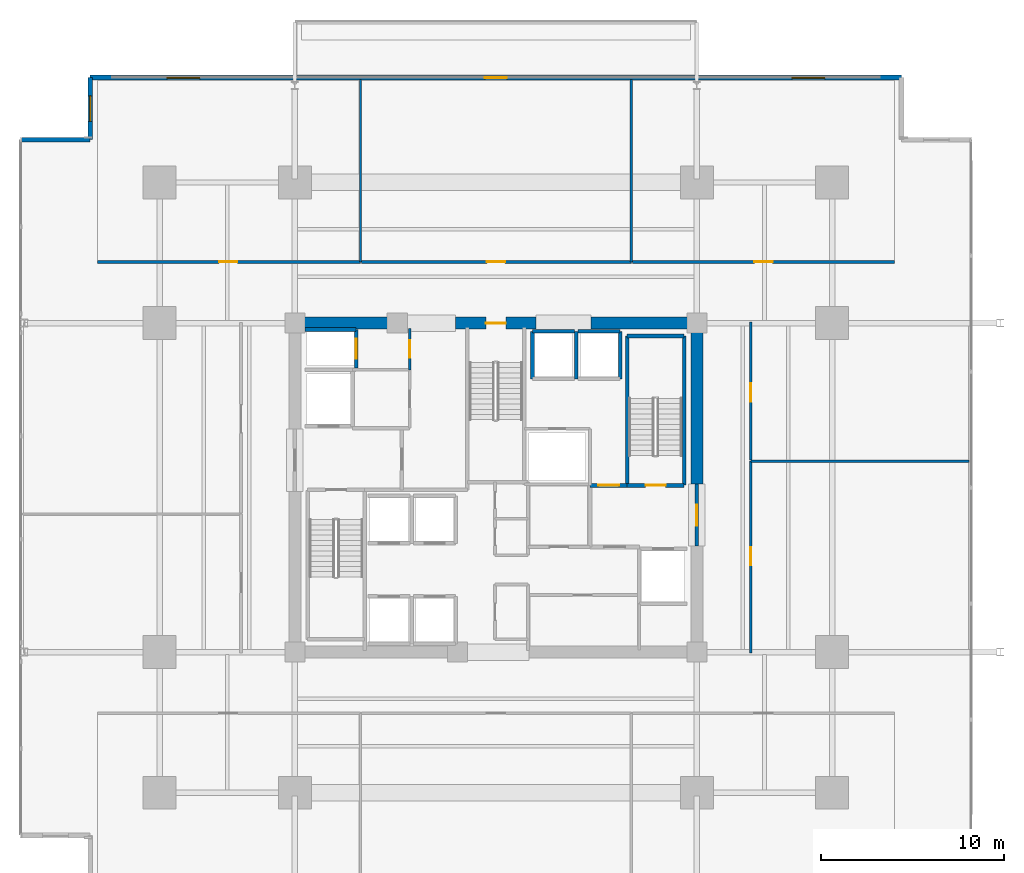
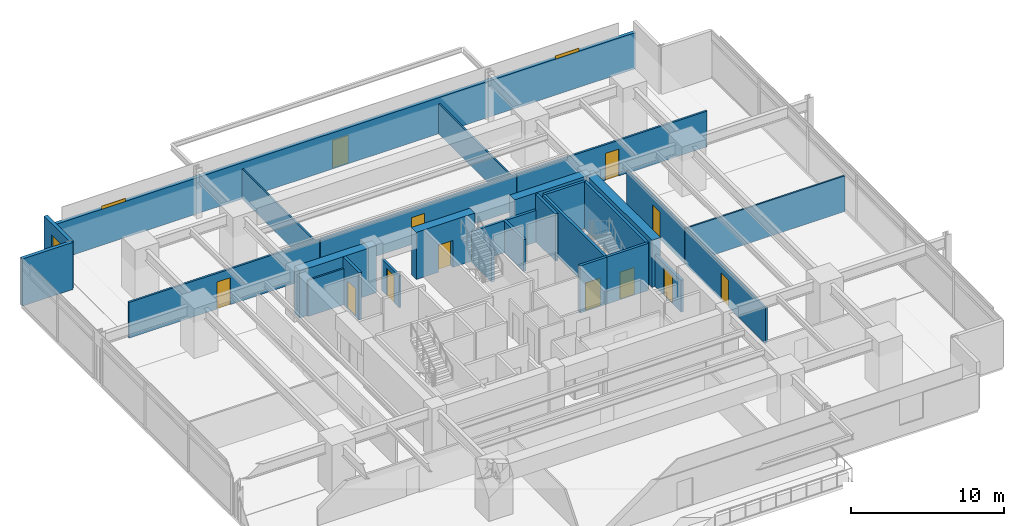
# One storey, part 19 of 25: 29 walls, 12 doors, 3 windows, 15 openings.
"""IFC4 building model written with IfcOpenShell, lengths in metres."""

from ifc_helpers import new_model, si_unit, direction, frame, frame_2d, origin, place, context, subcontext, project, spatial, rectangle, extrude, material, layer, layer_set, type_object, element, fill, save


model = new_model("IFC4")

# Units and contexts
model_context = context("Model", 3, precision=1e-05, world=origin(), true_north=direction((0.0, 1.0)))
body_context = subcontext(model_context, "Body", "Model", "MODEL_VIEW")
ifc_project = project(units=[si_unit("LENGTHUNIT", "METRE"), si_unit("AREAUNIT", "SQUARE_METRE"), si_unit("VOLUMEUNIT", "CUBIC_METRE"), si_unit("PLANEANGLEUNIT", "RADIAN"), si_unit("MASSUNIT", "GRAM", prefix="KILO")], contexts=[model_context])

# Site, building, storey
site_placement = place(None, origin())
site = spatial("IfcSite", under=ifc_project, at=site_placement, CompositionType="ELEMENT")
building_placement = place(site_placement, origin())
building = spatial("IfcBuilding", under=site, at=building_placement, Name="Kovane Verandah Tower", CompositionType="ELEMENT")
storey_placement = place(building_placement, frame((0.0, 0.0, 67.60009765625)))
storey = spatial("IfcBuildingStorey", under=building, at=storey_placement, Name="L15", CompositionType="ELEMENT", Elevation=67.60009765625)

# Wall, opening, door
ifc_material_1 = material(Name="Fire-Rated Gypsum Stud Partition", Category="gypsum")
ifc_layer_1 = layer(ifc_material_1, 0.14990234375)
ifc_layer_set_1 = layer_set([ifc_layer_1], Name="Fire-Rated Gypsum Stud Partition")
wall_type_1 = type_object("IfcWallType", Name="WL-COR-150", PredefinedType="PARTITIONING", material=ifc_layer_set_1)
wall_1_placement = place(storey_placement, frame((35.280029296875, 33.949951171875, 0.0), z_axis=(0.0, 0.0, 1.0), x_axis=(0.0, 1.0, 0.0)))
wall_1 = element("IfcWall", 1, at=wall_1_placement, inside=storey, type_object=wall_type_1, Name="L15 Goods Lift Lobby East Fire Partition", PredefinedType="PARTITIONING", context=body_context, shape_type="SweptSolid", body=[
    extrude(rectangle(XDim=2.27001953125, YDim=0.14990234375, at=frame_2d((1.135009765625, 0.0))), origin(), (0.0, 0.0, 1.0), 2.539794921875),
])
opening_1_placement = place(wall_1_placement, frame((0.659912109375, 0.0, 0.0)))
opening_1 = element("IfcOpeningElement", 2, at=opening_1_placement, cuts=wall_1, Name="Opening DR-L15-008", PredefinedType="OPENING", context=body_context, shape_type="SweptSolid", body=[
    extrude(rectangle(XDim=0.949951171875, YDim=2.14990234375, at=frame_2d((0.47509765625, 1.074951171875))), frame((0.0, 0.074951171875, 0.0), z_axis=(0.0, -1.0, 0.0), x_axis=(1.0, 0.0, 0.0)), (0.0, 0.0, 1.0), 0.14990234375),
])
ifc_material_2 = material(Name="Fire-Rated Steel Refuge and Lobby Door", Category="steel")
door_type_1 = type_object("IfcDoorType", Name="DR-FIRE-950", OperationType="SINGLE_SWING_LEFT", PredefinedType="DOOR", material=ifc_material_2)
door_1_placement = place(opening_1_placement, origin())
door_1 = element("IfcDoor", 3, at=door_1_placement, inside=storey, type_object=door_type_1, Name="L15 Goods Lift Lobby Fire Door", OperationType="SINGLE_SWING_LEFT", OverallHeight=2.14990234375, OverallWidth=0.949951171875, PredefinedType="DOOR", context=body_context, shape_type="SweptSolid", body=[
    extrude(rectangle(XDim=0.949951171875, YDim=2.14990234375, at=frame_2d((0.47509765625, 1.074951171875))), frame((0.0, 0.02490234375, 0.0), z_axis=(0.0, -1.0, 0.0), x_axis=(1.0, 0.0, 0.0)), (0.0, 0.0, 1.0), 0.050048828125),
])
fill(opening_1, door_1)

wall_2_placement = place(storey_placement, frame((18.198974609375, 39.85009765625, 0.0), z_axis=(0.0, 0.0, 1.0), x_axis=(1.0, 0.0, 0.0)))
wall_2 = element("IfcWall", 4, at=wall_2_placement, inside=storey, type_object=wall_type_1, Name="L15 Meeting Room N1 Corridor Partition", PredefinedType="PARTITIONING", context=body_context, shape_type="SweptSolid", body=[
    extrude(rectangle(XDim=14.388671875, YDim=0.14990234375, at=frame_2d((7.1943359375, 0.0))), origin(), (0.0, 0.0, 1.0), 2.849853515625),
])
opening_2_placement = place(wall_2_placement, frame((6.6591796875, 0.0, 0.0)))
opening_2 = element("IfcOpeningElement", 5, at=opening_2_placement, cuts=wall_2, Name="Opening DR-L15-017", PredefinedType="OPENING", context=body_context, shape_type="SweptSolid", body=[
    extrude(rectangle(XDim=1.0, YDim=2.14990234375, at=frame_2d((0.5, 1.074951171875))), frame((0.0, 0.074951171875, 0.0), z_axis=(0.0, -1.0, 0.0), x_axis=(1.0, 0.0, 0.0)), (0.0, 0.0, 1.0), 0.14990234375),
])
ifc_material_3 = material(Name="FSC Spotted-Gum Timber Fire-Rated Office Door", Category="wood")
door_type_2 = type_object("IfcDoorType", Name="DR-OFF-1000", OperationType="SINGLE_SWING_LEFT", PredefinedType="DOOR", material=ifc_material_3)
door_2_placement = place(opening_2_placement, origin())
door_2 = element("IfcDoor", 6, at=door_2_placement, inside=storey, type_object=door_type_2, Name="L15 Meeting Room N1 Entrance Door", OperationType="SINGLE_SWING_RIGHT", OverallHeight=2.14990234375, OverallWidth=1.0, PredefinedType="DOOR", context=body_context, shape_type="SweptSolid", body=[
    extrude(rectangle(XDim=1.0, YDim=2.14990234375, at=frame_2d((0.5, 1.074951171875))), frame((0.0, 0.02490234375, 0.0), z_axis=(0.0, -1.0, 0.0), x_axis=(1.0, 0.0, 0.0)), (0.0, 0.0, 1.0), 0.050048828125),
])
fill(opening_2, door_2)

wall_3_placement = place(storey_placement, frame((32.65771484375, 39.85009765625, 0.0), z_axis=(0.0, 0.0, 1.0), x_axis=(1.0, 0.0, 0.0)))
wall_3 = element("IfcWall", 7, at=wall_3_placement, inside=storey, type_object=wall_type_1, Name="L15 Focus Studio N2 Corridor Partition", PredefinedType="PARTITIONING", context=body_context, shape_type="SweptSolid", body=[
    extrude(rectangle(XDim=14.754638671875, YDim=0.14990234375, at=frame_2d((7.37744140625, 0.0))), origin(), (0.0, 0.0, 1.0), 2.849853515625),
])
opening_3_placement = place(wall_3_placement, frame((6.84228515625, 0.0, 0.0)))
opening_3 = element("IfcOpeningElement", 8, at=opening_3_placement, cuts=wall_3, Name="Opening DR-L15-018", PredefinedType="OPENING", context=body_context, shape_type="SweptSolid", body=[
    extrude(rectangle(XDim=1.0, YDim=2.14990234375, at=frame_2d((0.5, 1.074951171875))), frame((0.0, 0.074951171875, 0.0), z_axis=(0.0, -1.0, 0.0), x_axis=(1.0, 0.0, 0.0)), (0.0, 0.0, 1.0), 0.14990234375),
])
door_3_placement = place(opening_3_placement, origin())
door_3 = element("IfcDoor", 9, at=door_3_placement, inside=storey, type_object=door_type_2, Name="L15 Focus Studio N2 Entrance Door", OperationType="SINGLE_SWING_LEFT", OverallHeight=2.14990234375, OverallWidth=1.0, PredefinedType="DOOR", context=body_context, shape_type="SweptSolid", body=[
    extrude(rectangle(XDim=1.0, YDim=2.14990234375, at=frame_2d((0.5, 1.074951171875))), frame((0.0, 0.02490234375, 0.0), z_axis=(0.0, -1.0, 0.0), x_axis=(1.0, 0.0, 0.0)), (0.0, 0.0, 1.0), 0.050048828125),
])
fill(opening_3, door_3)

wall_4_placement = place(storey_placement, frame((47.482421875, 39.85009765625, 0.0), z_axis=(0.0, 0.0, 1.0), x_axis=(1.0, 0.0, 0.0)))
wall_4 = element("IfcWall", 10, at=wall_4_placement, inside=storey, type_object=wall_type_1, Name="L15 Breakout Pantry N3 Corridor Partition", PredefinedType="PARTITIONING", context=body_context, shape_type="SweptSolid", body=[
    extrude(rectangle(XDim=14.318603515625, YDim=0.14990234375, at=frame_2d((7.1591796875, 0.0))), origin(), (0.0, 0.0, 1.0), 2.849853515625),
])
opening_4_placement = place(wall_4_placement, frame((6.659423828125, 0.0, 0.0)))
opening_4 = element("IfcOpeningElement", 11, at=opening_4_placement, cuts=wall_4, Name="Opening DR-L15-019", PredefinedType="OPENING", context=body_context, shape_type="SweptSolid", body=[
    extrude(rectangle(XDim=1.0, YDim=2.14990234375, at=frame_2d((0.5, 1.074951171875))), frame((0.0, 0.074951171875, 0.0), z_axis=(0.0, -1.0, 0.0), x_axis=(1.0, 0.0, 0.0)), (0.0, 0.0, 1.0), 0.14990234375),
])
door_4_placement = place(opening_4_placement, origin())
door_4 = element("IfcDoor", 12, at=door_4_placement, inside=storey, type_object=door_type_2, Name="L15 Breakout Pantry N3 Entrance Door", OperationType="SINGLE_SWING_RIGHT", OverallHeight=2.14990234375, OverallWidth=1.0, PredefinedType="DOOR", context=body_context, shape_type="SweptSolid", body=[
    extrude(rectangle(XDim=1.0, YDim=2.14990234375, at=frame_2d((0.5, 1.074951171875))), frame((0.0, 0.02490234375, 0.0), z_axis=(0.0, -1.0, 0.0), x_axis=(1.0, 0.0, 0.0)), (0.0, 0.0, 1.0), 0.050048828125),
])
fill(opening_4, door_4)

wall_5_placement = place(storey_placement, frame((53.949951171875, 18.449951171875, 0.0), z_axis=(0.0, 0.0, 1.0), x_axis=(0.0, 1.0, 0.0)))
wall_5 = element("IfcWall", 13, at=wall_5_placement, inside=storey, type_object=wall_type_1, Name="L15 Meeting Room E1 Corridor Partition", PredefinedType="PARTITIONING", context=body_context, shape_type="SweptSolid", body=[
    extrude(rectangle(XDim=10.498046875, YDim=0.14990234375, at=frame_2d((5.2490234375, 0.0))), origin(), (0.0, 0.0, 1.0), 2.849853515625),
])
opening_5_placement = place(wall_5_placement, frame((4.7890625, 0.0, 0.0)))
opening_5 = element("IfcOpeningElement", 14, at=opening_5_placement, cuts=wall_5, Name="Opening DR-L15-012", PredefinedType="OPENING", context=body_context, shape_type="SweptSolid", body=[
    extrude(rectangle(XDim=1.0, YDim=2.14990234375, at=frame_2d((0.5, 1.074951171875))), frame((0.0, 0.074951171875, 0.0), z_axis=(0.0, -1.0, 0.0), x_axis=(1.0, 0.0, 0.0)), (0.0, 0.0, 1.0), 0.14990234375),
])
door_5_placement = place(opening_5_placement, origin())
door_5 = element("IfcDoor", 15, at=door_5_placement, inside=storey, type_object=door_type_2, Name="L15 Meeting Room E1 Entrance Door", OperationType="SINGLE_SWING_RIGHT", OverallHeight=2.14990234375, OverallWidth=1.0, PredefinedType="DOOR", context=body_context, shape_type="SweptSolid", body=[
    extrude(rectangle(XDim=1.0, YDim=2.14990234375, at=frame_2d((0.5, 1.074951171875))), frame((0.0, 0.02490234375, 0.0), z_axis=(0.0, -1.0, 0.0), x_axis=(1.0, 0.0, 0.0)), (0.0, 0.0, 1.0), 0.050048828125),
])
fill(opening_5, door_5)

wall_6_placement = place(storey_placement, frame((53.949951171875, 29.01806640625, 0.0), z_axis=(0.0, 0.0, 1.0), x_axis=(0.0, 1.0, 0.0)))
wall_6 = element("IfcWall", 16, at=wall_6_placement, inside=storey, type_object=wall_type_1, Name="L15 Focus Studio E2 Corridor Partition", PredefinedType="PARTITIONING", context=body_context, shape_type="SweptSolid", body=[
    extrude(rectangle(XDim=7.531982421875, YDim=0.14990234375, at=frame_2d((3.76611328125, 0.0))), origin(), (0.0, 0.0, 1.0), 2.849853515625),
])
opening_6_placement = place(wall_6_placement, frame((3.19091796875, 0.0, 0.0)))
opening_6 = element("IfcOpeningElement", 17, at=opening_6_placement, cuts=wall_6, Name="Opening DR-L15-013", PredefinedType="OPENING", context=body_context, shape_type="SweptSolid", body=[
    extrude(rectangle(XDim=1.0, YDim=2.14990234375, at=frame_2d((0.5, 1.074951171875))), frame((0.0, 0.074951171875, 0.0), z_axis=(0.0, -1.0, 0.0), x_axis=(1.0, 0.0, 0.0)), (0.0, 0.0, 1.0), 0.14990234375),
])
door_6_placement = place(opening_6_placement, origin())
door_6 = element("IfcDoor", 18, at=door_6_placement, inside=storey, type_object=door_type_2, Name="L15 Focus Studio E2 Entrance Door", OperationType="SINGLE_SWING_LEFT", OverallHeight=2.14990234375, OverallWidth=1.0, PredefinedType="DOOR", context=body_context, shape_type="SweptSolid", body=[
    extrude(rectangle(XDim=1.0, YDim=2.14990234375, at=frame_2d((0.5, 1.074951171875))), frame((0.0, 0.02490234375, 0.0), z_axis=(0.0, -1.0, 0.0), x_axis=(1.0, 0.0, 0.0)), (0.0, 0.0, 1.0), 0.050048828125),
])
fill(opening_6, door_6)

# Wall
ifc_material_4 = material(Name="Concrete C80/95", Category="concrete")
ifc_layer_2 = layer(ifc_material_4, 0.64990234375)
ifc_layer_set_2 = layer_set([ifc_layer_2], Name="Concrete C80/95")
wall_type_2 = type_object("IfcWallType", Name="WL-CORE-650", PredefinedType="SHEAR", material=ifc_layer_set_2)
wall_7_placement = place(storey_placement, frame((29.0, 36.5, 0.0), z_axis=(0.0, 0.0, 1.0), x_axis=(1.0, 0.0, 0.0)))
element("IfcWall", 19, at=wall_7_placement, inside=storey, type_object=wall_type_2, Name="L15 Core Shear Wall CN-1", PredefinedType="SHEAR", context=body_context, shape_type="SweptSolid", body=[
    extrude(rectangle(XDim=5.800048828125, YDim=0.64990234375, at=frame_2d((2.89990234375, 0.0))), origin(), (0.0, 0.0, 1.0), 3.760009765625),
])

# Wall, opening, door
wall_8_placement = place(storey_placement, frame((37.800048828125, 36.5, 0.0), z_axis=(0.0, 0.0, 1.0), x_axis=(1.0, 0.0, 0.0)))
wall_8 = element("IfcWall", 20, at=wall_8_placement, inside=storey, type_object=wall_type_2, Name="L15 Core Shear Wall CN-2", PredefinedType="SHEAR", context=body_context, shape_type="SweptSolid", body=[
    extrude(rectangle(XDim=4.39990234375, YDim=0.64990234375, at=frame_2d((2.199951171875, 0.0))), origin(), (0.0, 0.0, 1.0), 3.760009765625),
])
opening_7_placement = place(wall_8_placement, frame((1.64990234375, 0.0, 0.0)))
opening_7 = element("IfcOpeningElement", 21, at=opening_7_placement, cuts=wall_8, Name="Opening DR-L15-011", PredefinedType="OPENING", context=body_context, shape_type="SweptSolid", body=[
    extrude(rectangle(XDim=1.10009765625, YDim=2.14990234375, at=frame_2d((0.550048828125, 1.074951171875))), frame((0.0, 0.324951171875, 0.0), z_axis=(0.0, -1.0, 0.0), x_axis=(1.0, 0.0, 0.0)), (0.0, 0.0, 1.0), 0.64990234375),
])
ifc_material_5 = material(Name="Fire-Rated Steel Exit Door", Category="steel")
door_type_3 = type_object("IfcDoorType", Name="DR-STAIR-1100", OperationType="SINGLE_SWING_LEFT", PredefinedType="DOOR", material=ifc_material_5)
door_7_placement = place(opening_7_placement, origin())
door_7 = element("IfcDoor", 22, at=door_7_placement, inside=storey, type_object=door_type_3, Name="L15 ST-03 Fire Exit Stair Door", OperationType="SINGLE_SWING_LEFT", OverallHeight=2.14990234375, OverallWidth=1.10009765625, PredefinedType="DOOR", context=body_context, shape_type="SweptSolid", body=[
    extrude(rectangle(XDim=1.10009765625, YDim=2.14990234375, at=frame_2d((0.550048828125, 1.074951171875))), frame((0.0, 0.02490234375, 0.0), z_axis=(0.0, -1.0, 0.0), x_axis=(1.0, 0.0, 0.0)), (0.0, 0.0, 1.0), 0.050048828125),
])
fill(opening_7, door_7)

# Walls
wall_9_placement = place(storey_placement, frame((45.199951171875, 36.5, 0.0), z_axis=(0.0, 0.0, 1.0), x_axis=(1.0, 0.0, 0.0)))
element("IfcWall", 23, at=wall_9_placement, inside=storey, type_object=wall_type_2, Name="L15 Core Shear Wall CN-3", PredefinedType="SHEAR", context=body_context, shape_type="SweptSolid", body=[
    extrude(rectangle(XDim=5.800048828125, YDim=0.64990234375, at=frame_2d((2.89990234375, 0.0))), origin(), (0.0, 0.0, 1.0), 3.760009765625),
])
wall_10_placement = place(storey_placement, frame((51.0, 27.699951171875, 0.0), z_axis=(0.0, 0.0, 1.0), x_axis=(0.0, 1.0, 0.0)))
element("IfcWall", 24, at=wall_10_placement, inside=storey, type_object=wall_type_2, Name="L15 Core Shear Wall CE-2", PredefinedType="SHEAR", context=body_context, shape_type="SweptSolid", body=[
    extrude(rectangle(XDim=8.800048828125, YDim=0.64990234375, at=frame_2d((4.39990234375, 0.0))), origin(), (0.0, 0.0, 1.0), 3.760009765625),
])

# Wall, opening, door
ifc_material_6 = material(Name="Concrete C45/55 Fire Wall", Category="concrete")
ifc_layer_3 = layer(ifc_material_6, 0.199951171875)
ifc_layer_set_3 = layer_set([ifc_layer_3], Name="Concrete C45/55 Fire Wall")
wall_type_3 = type_object("IfcWallType", Name="WL-FFL-200", PredefinedType="PARTITIONING", material=ifc_layer_set_3)
wall_11_placement = place(storey_placement, frame((45.14990234375, 27.6201171875, 0.0), z_axis=(0.0, 0.0, 1.0), x_axis=(1.0, 0.0, 0.0)))
wall_11 = element("IfcWall", 25, at=wall_11_placement, inside=storey, type_object=wall_type_3, Name="W-L15-FFLE-N", PredefinedType="PARTITIONING", context=body_context, shape_type="SweptSolid", body=[
    extrude(rectangle(XDim=2.030029296875, YDim=0.199951171875, at=frame_2d((1.01513671875, 0.0))), origin(), (0.0, 0.0, 1.0), 3.760009765625),
])
opening_8_placement = place(wall_11_placement, frame((0.43994140625, 0.0, 0.0)))
opening_8 = element("IfcOpeningElement", 26, at=opening_8_placement, cuts=wall_11, Name="Opening DR-L15-004", PredefinedType="OPENING", context=body_context, shape_type="SweptSolid", body=[
    extrude(rectangle(XDim=1.14990234375, YDim=2.199951171875, at=frame_2d((0.574951171875, 1.10009765625))), frame((0.0, 0.10009765625, 0.0), z_axis=(0.0, -1.0, 0.0), x_axis=(1.0, 0.0, 0.0)), (0.0, 0.0, 1.0), 0.199951171875),
])
ifc_material_7 = material(Name="Smoke-Sealed Firefighting Lobby Door", Category="steel")
door_type_4 = type_object("IfcDoorType", Name="DR-FFL-1150", OperationType="SINGLE_SWING_LEFT", PredefinedType="DOOR", material=ifc_material_7)
door_8_placement = place(opening_8_placement, origin())
door_8 = element("IfcDoor", 27, at=door_8_placement, inside=storey, type_object=door_type_4, Name="L15 East Firefighting Lobby Shuttle Link Door", OperationType="SINGLE_SWING_LEFT", OverallHeight=2.199951171875, OverallWidth=1.14990234375, PredefinedType="DOOR", context=body_context, shape_type="SweptSolid", body=[
    extrude(rectangle(XDim=1.14990234375, YDim=2.199951171875, at=frame_2d((0.574951171875, 1.10009765625))), frame((0.0, 0.02490234375, 0.0), z_axis=(0.0, -1.0, 0.0), x_axis=(1.0, 0.0, 0.0)), (0.0, 0.0, 1.0), 0.050048828125),
])
fill(opening_8, door_8)

wall_12_placement = place(storey_placement, frame((51.0, 24.300048828125, 0.0), z_axis=(0.0, 0.0, 1.0), x_axis=(0.0, 1.0, 0.0)))
wall_12 = element("IfcWall", 28, at=wall_12_placement, inside=storey, type_object=wall_type_3, Name="W-L15-FFLE-OUT", PredefinedType="PARTITIONING", context=body_context, shape_type="SweptSolid", body=[
    extrude(rectangle(XDim=3.39990234375, YDim=0.199951171875, at=frame_2d((1.699951171875, 0.0))), origin(), (0.0, 0.0, 1.0), 2.539794921875),
])
opening_9_placement = place(wall_12_placement, frame((1.125, 0.0, 0.0)))
opening_9 = element("IfcOpeningElement", 29, at=opening_9_placement, cuts=wall_12, Name="Opening DR-L15-005", PredefinedType="OPENING", context=body_context, shape_type="SweptSolid", body=[
    extrude(rectangle(XDim=1.14990234375, YDim=2.199951171875, at=frame_2d((0.574951171875, 1.10009765625))), frame((0.0, 0.10009765625, 0.0), z_axis=(0.0, -1.0, 0.0), x_axis=(1.0, 0.0, 0.0)), (0.0, 0.0, 1.0), 0.199951171875),
])
door_9_placement = place(opening_9_placement, origin())
door_9 = element("IfcDoor", 30, at=door_9_placement, inside=storey, type_object=door_type_4, Name="L15 East Firefighting Lobby Corridor Door", OperationType="SINGLE_SWING_LEFT", OverallHeight=2.199951171875, OverallWidth=1.14990234375, PredefinedType="DOOR", context=body_context, shape_type="SweptSolid", body=[
    extrude(rectangle(XDim=1.14990234375, YDim=2.199951171875, at=frame_2d((0.574951171875, 1.10009765625))), frame((0.0, 0.02490234375, 0.0), z_axis=(0.0, -1.0, 0.0), x_axis=(1.0, 0.0, 0.0)), (0.0, 0.0, 1.0), 0.050048828125),
])
fill(opening_9, door_9)

# Wall
ifc_material_8 = material(Name="Concrete C45/55 Lift Shaft Wall", Category="concrete")
ifc_layer_4 = layer(ifc_material_8, 0.199951171875)
ifc_layer_set_4 = layer_set([ifc_layer_4], Name="Concrete C45/55 Lift Shaft Wall")
wall_type_4 = type_object("IfcWallType", Name="WL-LIFT-200", PredefinedType="SOLIDWALL", material=ifc_layer_set_4)
wall_13_placement = place(storey_placement, frame((32.35009765625, 36.14990234375, 0.0), z_axis=(0.0, 0.0, 1.0), x_axis=(-1.0, 0.0, 0.0)))
element("IfcWall", 31, at=wall_13_placement, inside=storey, type_object=wall_type_4, Name="L15 Lift GL-01 N Shaft Wall", PredefinedType="SOLIDWALL", context=body_context, shape_type="SweptSolid", body=[
    extrude(rectangle(XDim=2.800048828125, YDim=0.199951171875, at=frame_2d((1.39990234375, 0.0))), origin(), (0.0, 0.0, 1.0), 2.88916015625),
])

# Wall, opening, door
wall_14_placement = place(storey_placement, frame((32.35009765625, 34.050048828125, 0.0), z_axis=(0.0, 0.0, 1.0), x_axis=(0.0, 1.0, 0.0)))
wall_14 = element("IfcWall", 32, at=wall_14_placement, inside=storey, type_object=wall_type_4, Name="L15 Lift GL-01 E Shaft Wall", PredefinedType="SOLIDWALL", context=body_context, shape_type="SweptSolid", body=[
    extrude(rectangle(XDim=2.099853515625, YDim=0.199951171875, at=frame_2d((1.0498046875, 0.0))), origin(), (0.0, 0.0, 1.0), 3.760009765625),
])
opening_10_placement = place(wall_14_placement, frame((0.5, 0.0, 0.0)))
opening_10 = element("IfcOpeningElement", 33, at=opening_10_placement, cuts=wall_14, Name="Opening LD-L15-003", PredefinedType="OPENING", context=body_context, shape_type="SweptSolid", body=[
    extrude(rectangle(XDim=1.10009765625, YDim=2.199951171875, at=frame_2d((0.550048828125, 1.10009765625))), frame((0.0, 0.10009765625, 0.0), z_axis=(0.0, -1.0, 0.0), x_axis=(1.0, 0.0, 0.0)), (0.0, 0.0, 1.0), 0.199951171875),
])
ifc_material_9 = material(Name="Brushed Stainless Steel Sliding Lift Landing Door", Category="steel")
door_type_5 = type_object("IfcDoorType", Name="DR-LIFT-1100", OperationType="SLIDING_TO_RIGHT", PredefinedType="DOOR", material=ifc_material_9)
door_10_placement = place(opening_10_placement, origin())
door_10 = element("IfcDoor", 34, at=door_10_placement, inside=storey, type_object=door_type_5, Name="L15 Lift GL-01 Sliding Landing Door", OperationType="SLIDING_TO_RIGHT", OverallHeight=2.199951171875, OverallWidth=1.10009765625, PredefinedType="DOOR", context=body_context, shape_type="SweptSolid", body=[
    extrude(rectangle(XDim=1.10009765625, YDim=2.199951171875, at=frame_2d((0.550048828125, 1.10009765625))), frame((0.0, 0.02490234375, 0.0), z_axis=(0.0, -1.0, 0.0), x_axis=(1.0, 0.0, 0.0)), (0.0, 0.0, 1.0), 0.050048828125),
])
fill(opening_10, door_10)

# Walls
wall_15_placement = place(storey_placement, frame((44.300048828125, 36.050048828125, 0.0), z_axis=(0.0, 0.0, 1.0), x_axis=(-1.0, 0.0, 0.0)))
element("IfcWall", 35, at=wall_15_placement, inside=storey, type_object=wall_type_4, Name="L15 Lift SL-01 N Shaft Wall", PredefinedType="SOLIDWALL", context=body_context, shape_type="SweptSolid", body=[
    extrude(rectangle(XDim=2.300048828125, YDim=0.199951171875, at=frame_2d((1.14990234375, 0.0))), origin(), (0.0, 0.0, 1.0), 2.539794921875),
])
for number, where, z_axis, x_axis, name in (
    (36, (42.0, 36.050048828125, 0.0), (0.0, 0.0, 1.0), (0.0, -1.0, 0.0), "L15 Lift SL-01 W Shaft Wall"),
    (37, (44.39990234375, 33.449951171875, 0.0), (0.0, 0.0, 1.0), (0.0, 1.0, 0.0), "L15 Lift OL-01 and SL-01 Shared Shaft Wall"),
):
    element("IfcWall", number, at=place(storey_placement, frame(where, z_axis=z_axis, x_axis=x_axis)), inside=storey, type_object=wall_type_4, Name=name, PredefinedType="SOLIDWALL", context=body_context, shape_type="SweptSolid", body=[
        extrude(rectangle(XDim=2.60009765625, YDim=0.199951171875, at=frame_2d((1.300048828125, 0.0))), origin(), (0.0, 0.0, 1.0), 2.539794921875),
    ])
wall_16_placement = place(storey_placement, frame((46.800048828125, 36.050048828125, 0.0), z_axis=(0.0, 0.0, 1.0), x_axis=(-1.0, 0.0, 0.0)))
element("IfcWall", 38, at=wall_16_placement, inside=storey, type_object=wall_type_4, Name="L15 Lift OL-01 N Shaft Wall", PredefinedType="SOLIDWALL", context=body_context, shape_type="SweptSolid", body=[
    extrude(rectangle(XDim=2.300048828125, YDim=0.199951171875, at=frame_2d((1.14990234375, 0.0))), origin(), (0.0, 0.0, 1.0), 2.539794921875),
])
wall_17_placement = place(storey_placement, frame((46.800048828125, 33.449951171875, 0.0), z_axis=(0.0, 0.0, 1.0), x_axis=(0.0, 1.0, 0.0)))
element("IfcWall", 39, at=wall_17_placement, inside=storey, type_object=wall_type_4, Name="L15 Lift OL-01 E Shaft Wall", PredefinedType="SOLIDWALL", context=body_context, shape_type="SweptSolid", body=[
    extrude(rectangle(XDim=2.60009765625, YDim=0.199951171875, at=frame_2d((1.300048828125, 0.0))), origin(), (0.0, 0.0, 1.0), 3.760009765625),
])
ifc_material_10 = material(Name="Acoustic Fire-Rated Gypsum Partition", Category="gypsum")
ifc_layer_5 = layer(ifc_material_10, 0.1201171875)
ifc_layer_set_5 = layer_set([ifc_layer_5], Name="Acoustic Fire-Rated Gypsum Partition")
wall_type_5 = type_object("IfcWallType", Name="WL-PART-120", PredefinedType="PARTITIONING", material=ifc_layer_set_5)
for number, where, z_axis, x_axis, name in (
    (40, (32.587646484375, 39.85009765625, 0.0), (0.0, 0.0, 1.0), (0.0, 1.0, 0.0), "L15 Meeting Room N1 Dividing Partition"),
    (41, (47.412353515625, 39.85009765625, 0.0), (0.0, 0.0, 1.0), (0.0, 1.0, 0.0), "L15 Focus Studio N2 Dividing Partition"),
):
    element("IfcWall", number, at=place(storey_placement, frame(where, z_axis=z_axis, x_axis=x_axis)), inside=storey, type_object=wall_type_5, Name=name, PredefinedType="PARTITIONING", context=body_context, shape_type="SweptSolid", body=[
        extrude(rectangle(XDim=9.99072265625, YDim=0.1201171875, at=frame_2d((4.995361328125, 0.0))), origin(), (0.0, 0.0, 1.0), 2.389892578125),
    ])
wall_18_placement = place(storey_placement, frame((53.949951171875, 28.947998046875, 0.0), z_axis=(0.0, 0.0, 1.0), x_axis=(1.0, 0.0, 0.0)))
element("IfcWall", 42, at=wall_18_placement, inside=storey, type_object=wall_type_5, Name="L15 Meeting Room E1 Dividing Partition", PredefinedType="PARTITIONING", context=body_context, shape_type="SweptSolid", body=[
    extrude(rectangle(XDim=11.951171875, YDim=0.1201171875, at=frame_2d((5.9755859375, 0.0))), origin(), (0.0, 0.0, 1.0), 2.849853515625),
])
ifc_material_11 = material(Name="Concrete C45/55", Category="concrete")
ifc_layer_6 = layer(ifc_material_11, 0.199951171875)
ifc_layer_set_6 = layer_set([ifc_layer_6], Name="Concrete C45/55")
wall_type_6 = type_object("IfcWallType", Name="WL-SHAFT-200", PredefinedType="SOLIDWALL", material=ifc_layer_set_6)
wall_19_placement = place(storey_placement, frame((50.300048828125, 27.64990234375, 0.0), z_axis=(0.0, 0.0, 1.0), x_axis=(0.0, 1.0, 0.0)))
element("IfcWall", 43, at=wall_19_placement, inside=storey, type_object=wall_type_6, Name="W-L15-ST02-E", PredefinedType="SOLIDWALL", context=body_context, shape_type="SweptSolid", body=[
    extrude(rectangle(XDim=8.150146484375, YDim=0.199951171875, at=frame_2d((4.0751953125, 0.0))), origin(), (0.0, 0.0, 1.0), 3.760009765625),
])
wall_20_placement = place(storey_placement, frame((47.179931640625, 35.800048828125, 0.0), z_axis=(0.0, 0.0, 1.0), x_axis=(1.0, 0.0, 0.0)))
element("IfcWall", 44, at=wall_20_placement, inside=storey, type_object=wall_type_6, Name="W-L15-ST02-N", PredefinedType="SOLIDWALL", context=body_context, shape_type="SweptSolid", body=[
    extrude(rectangle(XDim=3.1201171875, YDim=0.199951171875, at=frame_2d((1.56005859375, 0.0))), origin(), (0.0, 0.0, 1.0), 3.760009765625),
])
wall_21_placement = place(storey_placement, frame((47.179931640625, 27.6201171875, 0.0), z_axis=(0.0, 0.0, 1.0), x_axis=(0.0, 1.0, 0.0)))
element("IfcWall", 45, at=wall_21_placement, inside=storey, type_object=wall_type_6, Name="W-L15-ST02-W", PredefinedType="SOLIDWALL", context=body_context, shape_type="SweptSolid", body=[
    extrude(rectangle(XDim=8.179931640625, YDim=0.199951171875, at=frame_2d((4.08984375, 0.0))), origin(), (0.0, 0.0, 1.0), 3.760009765625),
])

# Wall, opening, door
wall_22_placement = place(storey_placement, frame((47.179931640625, 27.6201171875, 0.0), z_axis=(0.0, 0.0, 1.0), x_axis=(1.0, 0.0, 0.0)))
wall_22 = element("IfcWall", 46, at=wall_22_placement, inside=storey, type_object=wall_type_6, Name="W-L15-ST02-S", PredefinedType="SOLIDWALL", context=body_context, shape_type="SweptSolid", body=[
    extrude(rectangle(XDim=3.1201171875, YDim=0.199951171875, at=frame_2d((1.56005859375, 0.0))), origin(), (0.0, 0.0, 1.0), 3.760009765625),
])
opening_11_placement = place(wall_22_placement, frame((1.010009765625, 0.0, 0.0)))
opening_11 = element("IfcOpeningElement", 47, at=opening_11_placement, cuts=wall_22, Name="Opening DR-L15-010", PredefinedType="OPENING", context=body_context, shape_type="SweptSolid", body=[
    extrude(rectangle(XDim=1.10009765625, YDim=2.14990234375, at=frame_2d((0.550048828125, 1.074951171875))), frame((0.0, 0.10009765625, 0.0), z_axis=(0.0, -1.0, 0.0), x_axis=(1.0, 0.0, 0.0)), (0.0, 0.0, 1.0), 0.199951171875),
])
door_11_placement = place(opening_11_placement, origin())
door_11 = element("IfcDoor", 48, at=door_11_placement, inside=storey, type_object=door_type_3, Name="L15 ST-02 Fire Exit Stair Door", OperationType="SINGLE_SWING_RIGHT", OverallHeight=2.14990234375, OverallWidth=1.10009765625, PredefinedType="DOOR", context=body_context, shape_type="SweptSolid", body=[
    extrude(rectangle(XDim=1.10009765625, YDim=2.14990234375, at=frame_2d((0.550048828125, 1.074951171875))), frame((0.0, 0.02490234375, 0.0), z_axis=(0.0, -1.0, 0.0), x_axis=(1.0, 0.0, 0.0)), (0.0, 0.0, 1.0), 0.050048828125),
])
fill(opening_11, door_11)

# Wall, openings, door, windows
ifc_material_12 = material(Name="Concrete C45/55 Insulated Spandrel Wall", Category="concrete")
ifc_layer_7 = layer(ifc_material_12, 0.260009765625)
ifc_layer_set_7 = layer_set([ifc_layer_7], Name="Concrete C45/55 Insulated Spandrel Wall")
wall_type_7 = type_object("IfcWallType", Name="WL-SPANDREL-260", PredefinedType="PARAPET", material=ifc_layer_set_7)
wall_23_placement = place(storey_placement, frame((62.201171875, 49.94091796875, 0.0), z_axis=(0.0, 0.0, 1.0), x_axis=(-1.0, 0.0, 0.0)))
wall_23 = element("IfcWall", 49, at=wall_23_placement, inside=storey, type_object=wall_type_7, Name="L15 N Verandah Access Facade Wall", PredefinedType="PARAPET", context=body_context, shape_type="SweptSolid", body=[
    extrude(rectangle(XDim=44.40234375, YDim=0.260009765625, at=frame_2d((22.201171875, 0.0))), origin(), (0.0, 0.0, 1.0), 2.88916015625),
])
opening_12_placement = place(wall_23_placement, frame((4.199951171875, 0.0, 0.85009765625)))
opening_12 = element("IfcOpeningElement", 50, at=opening_12_placement, cuts=wall_23, Name="Opening W-03", PredefinedType="OPENING", context=body_context, shape_type="SweptSolid", body=[
    extrude(rectangle(XDim=1.800048828125, YDim=2.199951171875, at=frame_2d((0.89990234375, 1.10009765625))), frame((0.0, 0.1298828125, 0.0), z_axis=(0.0, -1.0, 0.0), x_axis=(1.0, 0.0, 0.0)), (0.0, 0.0, 1.0), 0.260009765625),
])
opening_13_placement = place(wall_23_placement, frame((21.60107421875, 0.0, 0.0)))
opening_13 = element("IfcOpeningElement", 51, at=opening_13_placement, cuts=wall_23, Name="Opening DR-L15-001", PredefinedType="OPENING", context=body_context, shape_type="SweptSolid", body=[
    extrude(rectangle(XDim=1.199951171875, YDim=2.199951171875, at=frame_2d((0.60009765625, 1.10009765625))), frame((0.0, 0.1298828125, 0.0), z_axis=(0.0, -1.0, 0.0), x_axis=(1.0, 0.0, 0.0)), (0.0, 0.0, 1.0), 0.260009765625),
])
opening_14_placement = place(wall_23_placement, frame((38.402099609375, 0.0, 0.85009765625)))
opening_14 = element("IfcOpeningElement", 52, at=opening_14_placement, cuts=wall_23, Name="Opening W-03", PredefinedType="OPENING", context=body_context, shape_type="SweptSolid", body=[
    extrude(rectangle(XDim=1.800048828125, YDim=2.199951171875, at=frame_2d((0.89990234375, 1.10009765625))), frame((0.0, 0.1298828125, 0.0), z_axis=(0.0, -1.0, 0.0), x_axis=(1.0, 0.0, 0.0)), (0.0, 0.0, 1.0), 0.260009765625),
])
ifc_material_13 = material(Name="Cyclone-Rated Glazed Balcony Leaf Door", Category="aluminium")
door_type_6 = type_object("IfcDoorType", Name="DR-BAL-1200x2200", OperationType="SINGLE_SWING_LEFT", PredefinedType="DOOR", material=ifc_material_13)
door_12_placement = place(opening_13_placement, origin())
door_12 = element("IfcDoor", 53, at=door_12_placement, inside=storey, type_object=door_type_6, Name="L15 N Planted Balcony Access Door", OperationType="SINGLE_SWING_LEFT", OverallHeight=2.199951171875, OverallWidth=1.199951171875, PredefinedType="DOOR", context=body_context, shape_type="SweptSolid", body=[
    extrude(rectangle(XDim=1.199951171875, YDim=2.199951171875, at=frame_2d((0.60009765625, 1.10009765625))), frame((0.0, 0.02490234375, 0.0), z_axis=(0.0, -1.0, 0.0), x_axis=(1.0, 0.0, 0.0)), (0.0, 0.0, 1.0), 0.050048828125),
])
fill(opening_13, door_12)
ifc_material_14 = material(Name="Clear Low-E Laminated Double Glazing in Anodised Frame", Category="glass")
window_type_1 = type_object("IfcWindowType", Name="WN-NOTCH-1800x2200", PartitioningType="SINGLE_PANEL", PredefinedType="WINDOW", material=ifc_material_14)
window_1_placement = place(opening_12_placement, origin())
window_1 = element("IfcWindow", 54, at=window_1_placement, inside=storey, type_object=window_type_1, Name="L15 N Verandah View Window 1", OverallHeight=2.199951171875, OverallWidth=1.800048828125, PartitioningType="SINGLE_PANEL", PredefinedType="WINDOW", context=body_context, shape_type="SweptSolid", body=[
    extrude(rectangle(XDim=1.800048828125, YDim=2.199951171875, at=frame_2d((0.89990234375, 1.10009765625))), frame((0.0, 0.030029296875, 0.0), z_axis=(0.0, -1.0, 0.0), x_axis=(1.0, 0.0, 0.0)), (0.0, 0.0, 1.0), 0.06005859375),
])
fill(opening_12, window_1)
window_2_placement = place(opening_14_placement, origin())
window_2 = element("IfcWindow", 55, at=window_2_placement, inside=storey, type_object=window_type_1, Name="L15 N Verandah View Window 2", OverallHeight=2.199951171875, OverallWidth=1.800048828125, PartitioningType="SINGLE_PANEL", PredefinedType="WINDOW", context=body_context, shape_type="SweptSolid", body=[
    extrude(rectangle(XDim=1.800048828125, YDim=2.199951171875, at=frame_2d((0.89990234375, 1.10009765625))), frame((0.0, 0.030029296875, 0.0), z_axis=(0.0, -1.0, 0.0), x_axis=(1.0, 0.0, 0.0)), (0.0, 0.0, 1.0), 0.06005859375),
])
fill(opening_14, window_2)

# Wall, opening, window
wall_24_placement = place(storey_placement, frame((17.798828125, 49.94091796875, 0.0), z_axis=(0.0, 0.0, 1.0), x_axis=(0.0, -1.0, 0.0)))
wall_24 = element("IfcWall", 56, at=wall_24_placement, inside=storey, type_object=wall_type_7, Name="L15 NW Notch Cheek Wall 1", PredefinedType="PARAPET", context=body_context, shape_type="SweptSolid", body=[
    extrude(rectangle(XDim=3.400146484375, YDim=0.260009765625, at=frame_2d((1.7001953125, 0.0))), origin(), (0.0, 0.0, 1.0), 3.760009765625),
])
opening_15_placement = place(wall_24_placement, frame((1.0, 0.0, 0.85009765625)))
opening_15 = element("IfcOpeningElement", 57, at=opening_15_placement, cuts=wall_24, Name="Opening W-01", PredefinedType="OPENING", context=body_context, shape_type="SweptSolid", body=[
    extrude(rectangle(XDim=1.39990234375, YDim=2.0, at=frame_2d((0.699951171875, 1.0))), frame((0.0, 0.1298828125, 0.0), z_axis=(0.0, -1.0, 0.0), x_axis=(1.0, 0.0, 0.0)), (0.0, 0.0, 1.0), 0.260009765625),
])
window_type_2 = type_object("IfcWindowType", Name="WN-OPER-1400x2000", PartitioningType="SINGLE_PANEL", PredefinedType="WINDOW", material=ifc_material_14)
window_3_placement = place(opening_15_placement, origin())
window_3 = element("IfcWindow", 58, at=window_3_placement, inside=storey, type_object=window_type_2, Name="L15 NW Re-Entrant Corner Operable Window", OverallHeight=2.0, OverallWidth=1.39990234375, PartitioningType="SINGLE_PANEL", PredefinedType="WINDOW", context=body_context, shape_type="SweptSolid", body=[
    extrude(rectangle(XDim=1.39990234375, YDim=2.0, at=frame_2d((0.699951171875, 1.0))), frame((0.0, 0.030029296875, 0.0), z_axis=(0.0, -1.0, 0.0), x_axis=(1.0, 0.0, 0.0)), (0.0, 0.0, 1.0), 0.06005859375),
])
fill(opening_15, window_3)

# Wall
wall_25_placement = place(storey_placement, frame((17.798828125, 46.540771484375, 0.0), z_axis=(0.0, 0.0, 1.0), x_axis=(-1.0, 0.0, 0.0)))
element("IfcWall", 59, at=wall_25_placement, inside=storey, type_object=wall_type_7, Name="L15 NW Notch Cheek Wall 2", PredefinedType="PARAPET", context=body_context, shape_type="SweptSolid", body=[
    extrude(rectangle(XDim=3.800048828125, YDim=0.260009765625, at=frame_2d((1.89990234375, 0.0))), origin(), (0.0, 0.0, 1.0), 3.760009765625),
])

save(model, "model.ifc")
